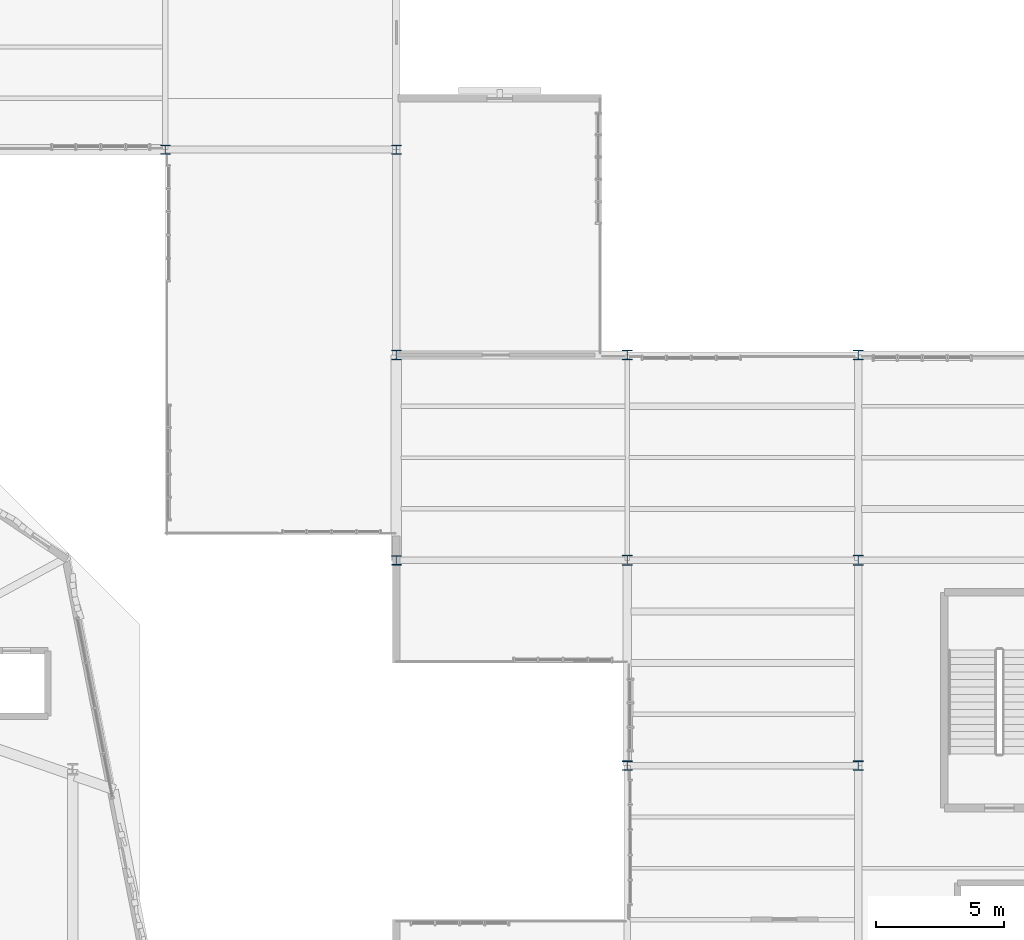
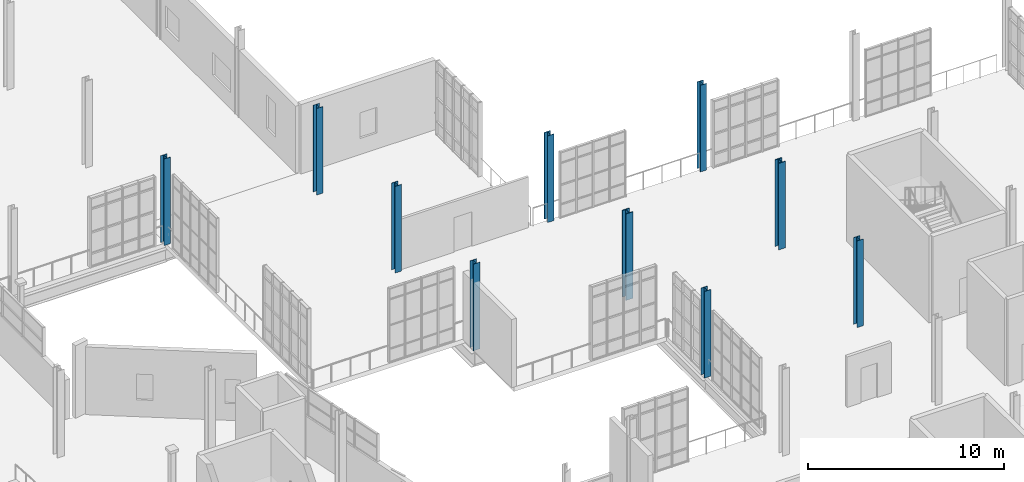
# One storey, part 9 of 142: 10 columns.
"""IFC4 building model written with IfcOpenShell, lengths in metres."""

from ifc_helpers import new_model, si_unit, direction, frame, origin, origin_2d, place, context, subcontext, project, spatial, i_section, extrude, material, material_profile, profile_set, type_object, element, save


model = new_model("IFC4")

# Units and contexts
model_context = context("Model", 3, precision=1e-05, world=origin(), true_north=direction((0.0, 1.0)))
body_context = subcontext(model_context, "Body", "Model", "MODEL_VIEW")
ifc_project = project(units=[si_unit("LENGTHUNIT", "METRE"), si_unit("AREAUNIT", "SQUARE_METRE"), si_unit("VOLUMEUNIT", "CUBIC_METRE"), si_unit("PLANEANGLEUNIT", "RADIAN"), si_unit("MASSUNIT", "GRAM", prefix="KILO"), si_unit("THERMODYNAMICTEMPERATUREUNIT", "KELVIN"), si_unit("POWERUNIT", "WATT")], contexts=[model_context])

# Site, building, storey
site_placement = place(None, origin())
site = spatial("IfcSite", under=ifc_project, at=site_placement, CompositionType="ELEMENT")
building_placement = place(site_placement, origin())
building = spatial("IfcBuilding", under=site, at=building_placement, Name="Zelmaris Science Centre", CompositionType="ELEMENT")
storey_placement = place(building_placement, frame((0.0, 0.0, 5.39990234375)))
storey = spatial("IfcBuildingStorey", under=building, at=storey_placement, Name="L01", CompositionType="ELEMENT", Elevation=5.39990234375)

# Columns
ifc_material = material(Name="Steel ASTM A992 Grade 50", Category="steel")
ifc_material_profile_1 = material_profile(ifc_material, i_section(OverallWidth=0.40087890625, OverallDepth=0.39892578125, WebThickness=0.02490234375, FlangeThickness=0.03955078125, FilletRadius=0.014892578125, at=origin_2d()), Name="W14X211")
ifc_profile_set_1 = profile_set([ifc_material_profile_1], Name="Steel ASTM A992 Grade 50")
column_type_1 = type_object("IfcColumnType", Name="Column C-03 W14X211", PredefinedType="COLUMN", material=ifc_profile_set_1)
for number, where, z_axis, x_axis, name in (
    (1, (117.0, 48.0, 0.0), (0.0, 0.0, 1.0), (1.0, 0.0, 0.0), "Column V4-C-117-48 L01"),
    (2, (126.0, 48.0, 0.0), (0.0, 0.0, 1.0), (1.0, 0.0, 0.0), "Column V4-C-126-48 L01"),
):
    element("IfcColumn", number, at=place(storey_placement, frame(where, z_axis=z_axis, x_axis=x_axis)), inside=storey, type_object=column_type_1, Name=name, PredefinedType="COLUMN", context=body_context, shape_type="SweptSolid", body=[
        extrude(i_section(OverallWidth=0.40087890625, OverallDepth=0.39892578125, WebThickness=0.02490234375, FlangeThickness=0.03955078125, FilletRadius=0.014892578125, at=origin_2d()), origin(), (0.0, 0.0, 1.0), 5.400146484375),
    ])
ifc_material_profile_2 = material_profile(ifc_material, i_section(OverallWidth=0.373046875, OverallDepth=0.367919921875, WebThickness=0.014892578125, FlangeThickness=0.02392578125, FilletRadius=0.014892578125, at=origin_2d()), Name="W14X120")
ifc_profile_set_2 = profile_set([ifc_material_profile_2], Name="Steel ASTM A992 Grade 50")
column_type_2 = type_object("IfcColumnType", Name="Column C-06 W14X120", PredefinedType="COLUMN", material=ifc_profile_set_2)
for number, where, z_axis, x_axis, name in (
    (3, (108.0, 48.0, 0.0), (0.0, 0.0, 1.0), (1.0, 0.0, 0.0), "Column V4-C-108-48 L01"),
    (4, (108.0, 56.0, 0.0), (0.0, 0.0, 1.0), (1.0, 0.0, 0.0), "Column V4-C-108-56 L01"),
    (5, (117.0, 40.0, 0.0), (0.0, 0.0, 1.0), (1.0, 0.0, 0.0), "Column V4-C-117-40 L01"),
    (6, (117.0, 56.0, 0.0), (0.0, 0.0, 1.0), (1.0, 0.0, 0.0), "Column V4-C-117-56 L01"),
    (7, (126.0, 40.0, 0.0), (0.0, 0.0, 1.0), (1.0, 0.0, 0.0), "Column V4-C-126-40 L01"),
    (8, (126.0, 56.0, 0.0), (0.0, 0.0, 1.0), (1.0, 0.0, 0.0), "Column V4-C-126-56 L01"),
):
    element("IfcColumn", number, at=place(storey_placement, frame(where, z_axis=z_axis, x_axis=x_axis)), inside=storey, type_object=column_type_2, Name=name, PredefinedType="COLUMN", context=body_context, shape_type="SweptSolid", body=[
        extrude(i_section(OverallWidth=0.373046875, OverallDepth=0.367919921875, WebThickness=0.014892578125, FlangeThickness=0.02392578125, FilletRadius=0.014892578125, at=origin_2d()), origin(), (0.0, 0.0, 1.0), 5.400146484375),
    ])
ifc_material_profile_3 = material_profile(ifc_material, i_section(OverallWidth=0.367919921875, OverallDepth=0.35595703125, WebThickness=0.01123046875, FlangeThickness=0.01806640625, FilletRadius=0.014892578125, at=origin_2d()), Name="W14X90")
ifc_profile_set_3 = profile_set([ifc_material_profile_3], Name="Steel ASTM A992 Grade 50")
column_type_3 = type_object("IfcColumnType", Name="Column C-07 W14X90", PredefinedType="COLUMN", material=ifc_profile_set_3)
for number, where, z_axis, x_axis, name in (
    (9, (99.0, 64.0, 0.0), (0.0, 0.0, 1.0), (1.0, 0.0, 0.0), "Column V5-C-99-64 L01"),
    (10, (108.0, 64.0, 0.0), (0.0, 0.0, 1.0), (1.0, 0.0, 0.0), "Column V5-C-108-64 L01"),
):
    element("IfcColumn", number, at=place(storey_placement, frame(where, z_axis=z_axis, x_axis=x_axis)), inside=storey, type_object=column_type_3, Name=name, PredefinedType="COLUMN", context=body_context, shape_type="SweptSolid", body=[
        extrude(i_section(OverallWidth=0.367919921875, OverallDepth=0.35595703125, WebThickness=0.01123046875, FlangeThickness=0.01806640625, FilletRadius=0.014892578125, at=origin_2d()), origin(), (0.0, 0.0, 1.0), 5.400146484375),
    ])

save(model, "model.ifc")
